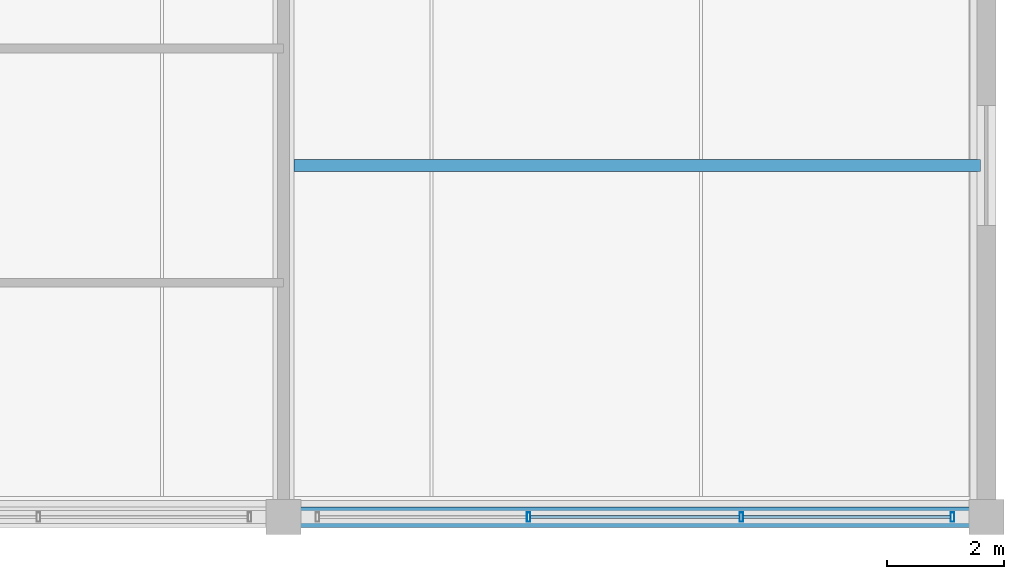
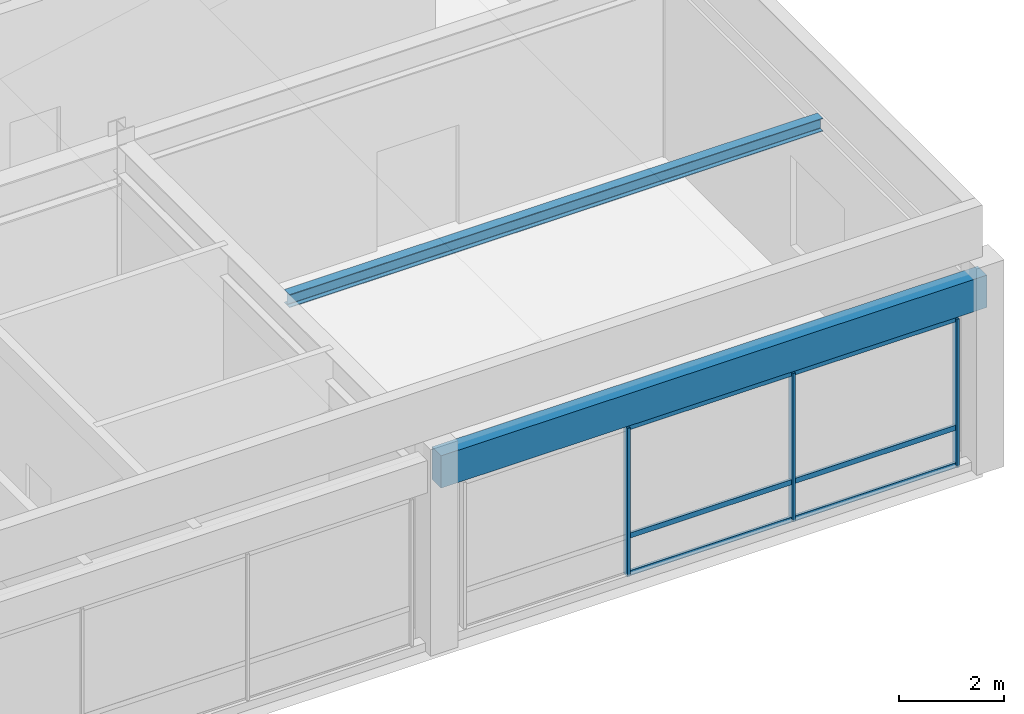
# One storey, part 7 of 16: 9 members, 2 beams, 1 element without a shape of its own.
"""IFC4 building model written with IfcOpenShell, lengths in metres."""

from ifc_helpers import new_model, si_unit, direction, frame, origin, origin_2d, place, context, subcontext, project, spatial, rectangle, hollow_rectangle, i_section, extrude, material, material_profile, profile_set, type_object, element, aggregate, save


model = new_model("IFC4")

# Units and contexts
model_context = context("Model", 3, precision=1e-05, world=origin(), true_north=direction((0.0, 1.0)))
body_context = subcontext(model_context, "Body", "Model", "MODEL_VIEW")
ifc_project = project(units=[si_unit("LENGTHUNIT", "METRE"), si_unit("AREAUNIT", "SQUARE_METRE"), si_unit("VOLUMEUNIT", "CUBIC_METRE"), si_unit("PLANEANGLEUNIT", "RADIAN"), si_unit("MASSUNIT", "GRAM", prefix="KILO")], contexts=[model_context])

# Site, building, storey
site_placement = place(None, origin())
site = spatial("IfcSite", under=ifc_project, at=site_placement, CompositionType="ELEMENT")
building_placement = place(site_placement, origin())
building = spatial("IfcBuilding", under=site, at=building_placement, Name="Kaldorvane Square Convention Centre", CompositionType="ELEMENT")
storey_placement = place(building_placement, frame((0.0, 0.0, 70.80000305175781)))
storey = spatial("IfcBuildingStorey", under=building, at=storey_placement, Name="L17", CompositionType="ELEMENT", Elevation=70.80000305175781)

# Beams
ifc_material_1 = material(Name="Steel ASTM A992 Gr. 50", Category="steel")
ifc_material_profile_1 = material_profile(ifc_material_1, i_section(OverallWidth=0.2032928466796875, OverallDepth=0.3032989501953125, WebThickness=0.00750732421875, FlangeThickness=0.0131072998046875, FilletRadius=0.01019287109375, at=origin_2d()), Name="W12X40")
ifc_profile_set_1 = profile_set([ifc_material_profile_1], Name="Steel ASTM A992 Gr. 50")
beam_type_1 = type_object("IfcBeamType", Name="BM-JS-W12X40", PredefinedType="JOIST", material=ifc_profile_set_1)
beam_1_placement = place(storey_placement, frame((66.17739868164062, 90.0, 4.3242950439453125), z_axis=(1.0, 0.0, 0.0), x_axis=(0.0, 1.0, 0.0)))
element("IfcBeam", 1, at=beam_1_placement, inside=storey, type_object=beam_type_1, Name="Secondary Floor Joist (L17)", PredefinedType="JOIST", context=body_context, shape_type="SweptSolid", body=[
    extrude(i_section(OverallWidth=0.2032928466796875, OverallDepth=0.3032989501953125, WebThickness=0.00750732421875, FlangeThickness=0.0131072998046875, FilletRadius=0.01019287109375, at=origin_2d()), origin(), (0.0, 0.0, 1.0), 11.72100830078125),
])
ifc_material_2 = material(Name="Concrete f'c = 42 MPa (Normalweight)", Category="concrete")
ifc_material_profile_2 = material_profile(ifc_material_2, rectangle(XDim=0.350006103515625, YDim=0.75, at=origin_2d()), Name="RCSP750X350")
ifc_profile_set_2 = profile_set([ifc_material_profile_2], Name="Concrete f'c = 42 MPa (Normalweight)")
beam_type_2 = type_object("IfcBeamType", Name="BM-SP-RC750", PredefinedType="SPANDREL", material=ifc_profile_set_2)
beam_2_placement = place(storey_placement, frame((66.0, 84.0, 4.1009979248046875), z_axis=(1.0, 0.0, 0.0), x_axis=(0.0, 1.0, 0.0)))
element("IfcBeam", 2, at=beam_2_placement, inside=storey, type_object=beam_type_2, Name="Perimeter Spandrel (L17)", PredefinedType="SPANDREL", context=body_context, shape_type="SweptSolid", body=[
    extrude(rectangle(XDim=0.350006103515625, YDim=0.75, at=origin_2d()), origin(), (0.0, 0.0, 1.0), 12.0),
])

# Curtain wall, members
ifc_material_3 = material(Name="Anodized Aluminum and Low-E Insulated Glazing", Category="aluminium")
curtain_wall_type = type_object("IfcCurtainWallType", Name="CW-UNI-PNT-12", PredefinedType="USERDEFINED", material=ifc_material_3)
curtain_wall_placement = place(storey_placement, origin())
curtain_wall = element("IfcCurtainWall", 3, at=curtain_wall_placement, inside=storey, type_object=curtain_wall_type, Name="Curtain Wall CW-12 (L17)", ObjectType="UNITISED GLAZING", PredefinedType="USERDEFINED")
ifc_material_profile_3 = material_profile(ifc_material_3, hollow_rectangle(XDim=0.05999755859375, YDim=0.160003662109375, WallThickness=0.003204345703125, at=origin_2d()), Name="CWM-160X60")
ifc_profile_set_3 = profile_set([ifc_material_profile_3], Name="Anodized Aluminum and Low-E Insulated Glazing")
member_type_1 = type_object("IfcMemberType", Name="CW-MUL-160", PredefinedType="MULLION", material=ifc_profile_set_3)
member_1_placement = place(storey_placement, frame((70.18333435058594, 84.0, 0.149993896484375), z_axis=(0.0, 0.0, 1.0), x_axis=(1.0, 0.0, 0.0)))
member_1 = element("IfcMember", 4, at=member_1_placement, type_object=member_type_1, Name="CW-12 mullion 2", PredefinedType="MULLION", context=body_context, shape_type="SweptSolid", body=[
    extrude(hollow_rectangle(XDim=0.05999755859375, YDim=0.160003662109375, WallThickness=0.003204345703125, at=origin_2d()), origin(), (0.0, 0.0, 1.0), 3.4499969482421875),
])
member_2_placement = place(storey_placement, frame((73.81666564941406, 84.0, 0.149993896484375), z_axis=(0.0, 0.0, 1.0), x_axis=(1.0, 0.0, 0.0)))
member_2 = element("IfcMember", 5, at=member_2_placement, type_object=member_type_1, Name="CW-12 mullion 3", PredefinedType="MULLION", context=body_context, shape_type="SweptSolid", body=[
    extrude(hollow_rectangle(XDim=0.05999755859375, YDim=0.160003662109375, WallThickness=0.003204345703125, at=origin_2d()), origin(), (0.0, 0.0, 1.0), 3.4499969482421875),
])
member_3_placement = place(storey_placement, frame((77.41999816894531, 84.0, 0.149993896484375), z_axis=(0.0, 0.0, 1.0), x_axis=(1.0, 0.0, 0.0)))
member_3 = element("IfcMember", 6, at=member_3_placement, type_object=member_type_1, Name="CW-12 mullion 4", PredefinedType="MULLION", context=body_context, shape_type="SweptSolid", body=[
    extrude(hollow_rectangle(XDim=0.05999755859375, YDim=0.160003662109375, WallThickness=0.003204345703125, at=origin_2d()), origin(), (0.0, 0.0, 1.0), 3.4499969482421875),
])
ifc_material_profile_4 = material_profile(ifc_material_3, hollow_rectangle(XDim=0.05499267578125, YDim=0.1199951171875, WallThickness=0.0030059814453125, at=origin_2d()), Name="CWT-120X55")
ifc_profile_set_4 = profile_set([ifc_material_profile_4], Name="Anodized Aluminum and Low-E Insulated Glazing")
member_type_2 = type_object("IfcMemberType", Name="CW-TRN-120", PredefinedType="USERDEFINED", material=ifc_profile_set_4)
member_4_placement = place(storey_placement, frame((70.21333312988281, 84.0, 0.177490234375), z_axis=(1.0, 0.0, 0.0), x_axis=(0.0, 1.0, 0.0)))
member_4 = element("IfcMember", 7, at=member_4_placement, type_object=member_type_2, Name="CW-12 transom 2.1", ObjectType="TRANSOM", PredefinedType="USERDEFINED", context=body_context, shape_type="SweptSolid", body=[
    extrude(hollow_rectangle(XDim=0.05499267578125, YDim=0.1199951171875, WallThickness=0.0030059814453125, at=origin_2d()), origin(), (0.0, 0.0, 1.0), 3.573333740234375),
])
member_5_placement = place(storey_placement, frame((70.21333312988281, 84.0, 1.0500030517578125), z_axis=(1.0, 0.0, 0.0), x_axis=(0.0, 1.0, 0.0)))
member_5 = element("IfcMember", 8, at=member_5_placement, type_object=member_type_2, Name="CW-12 transom 2.2", ObjectType="TRANSOM", PredefinedType="USERDEFINED", context=body_context, shape_type="SweptSolid", body=[
    extrude(hollow_rectangle(XDim=0.05499267578125, YDim=0.1199951171875, WallThickness=0.0030059814453125, at=origin_2d()), origin(), (0.0, 0.0, 1.0), 3.573333740234375),
])
member_6_placement = place(storey_placement, frame((70.21333312988281, 84.0, 3.5724945068359375), z_axis=(1.0, 0.0, 0.0), x_axis=(0.0, 1.0, 0.0)))
member_6 = element("IfcMember", 9, at=member_6_placement, type_object=member_type_2, Name="CW-12 transom 2.3", ObjectType="TRANSOM", PredefinedType="USERDEFINED", context=body_context, shape_type="SweptSolid", body=[
    extrude(hollow_rectangle(XDim=0.05499267578125, YDim=0.1199951171875, WallThickness=0.0030059814453125, at=origin_2d()), origin(), (0.0, 0.0, 1.0), 3.573333740234375),
])
member_7_placement = place(storey_placement, frame((73.84666442871094, 84.0, 0.177490234375), z_axis=(1.0, 0.0, 0.0), x_axis=(0.0, 1.0, 0.0)))
member_7 = element("IfcMember", 10, at=member_7_placement, type_object=member_type_2, Name="CW-12 transom 3.1", ObjectType="TRANSOM", PredefinedType="USERDEFINED", context=body_context, shape_type="SweptSolid", body=[
    extrude(hollow_rectangle(XDim=0.05499267578125, YDim=0.1199951171875, WallThickness=0.0030059814453125, at=origin_2d()), origin(), (0.0, 0.0, 1.0), 3.5433349609375),
])
member_8_placement = place(storey_placement, frame((73.84666442871094, 84.0, 1.0500030517578125), z_axis=(1.0, 0.0, 0.0), x_axis=(0.0, 1.0, 0.0)))
member_8 = element("IfcMember", 11, at=member_8_placement, type_object=member_type_2, Name="CW-12 transom 3.2", ObjectType="TRANSOM", PredefinedType="USERDEFINED", context=body_context, shape_type="SweptSolid", body=[
    extrude(hollow_rectangle(XDim=0.05499267578125, YDim=0.1199951171875, WallThickness=0.0030059814453125, at=origin_2d()), origin(), (0.0, 0.0, 1.0), 3.5433349609375),
])
member_9_placement = place(storey_placement, frame((73.84666442871094, 84.0, 3.5724945068359375), z_axis=(1.0, 0.0, 0.0), x_axis=(0.0, 1.0, 0.0)))
member_9 = element("IfcMember", 12, at=member_9_placement, type_object=member_type_2, Name="CW-12 transom 3.3", ObjectType="TRANSOM", PredefinedType="USERDEFINED", context=body_context, shape_type="SweptSolid", body=[
    extrude(hollow_rectangle(XDim=0.05499267578125, YDim=0.1199951171875, WallThickness=0.0030059814453125, at=origin_2d()), origin(), (0.0, 0.0, 1.0), 3.5433349609375),
])
aggregate(curtain_wall, [member_1, member_2, member_3, member_4, member_5, member_6, member_7, member_8, member_9])

save(model, "model.ifc")
